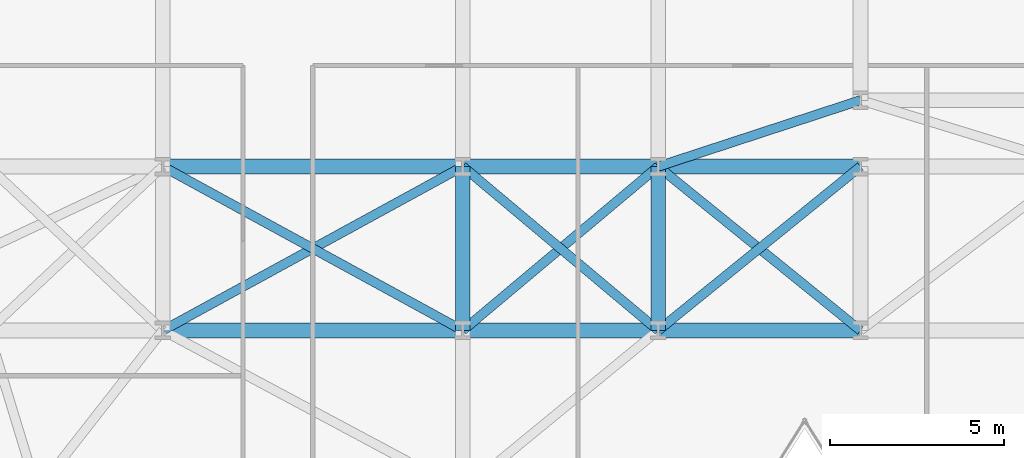
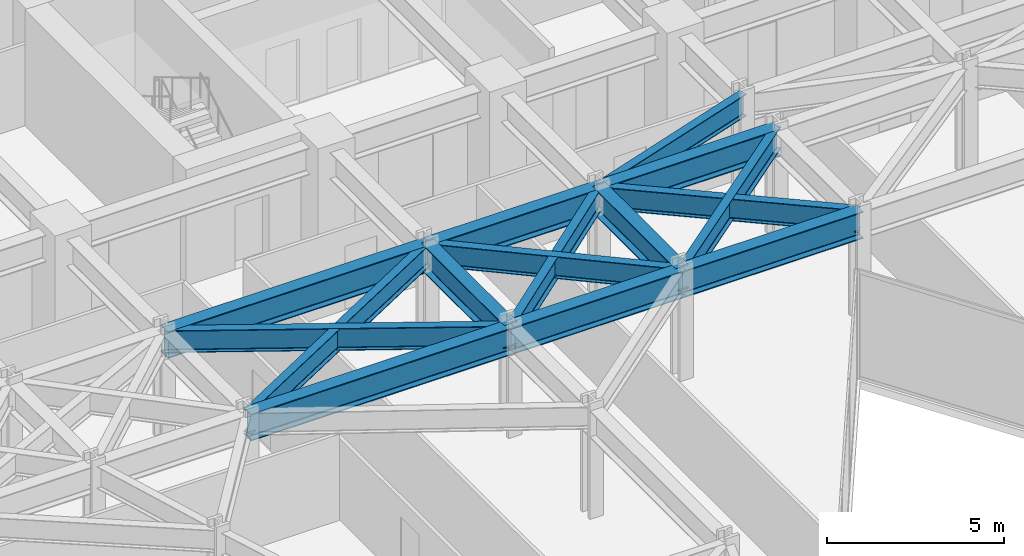
# One storey, part 11 of 25: 15 beams.
"""IFC4 building model written with IfcOpenShell, lengths in metres."""

from ifc_helpers import new_model, si_unit, direction, frame, origin, origin_2d, place, context, subcontext, project, spatial, i_section, extrude, material, material_profile, profile_set, type_object, element, save


model = new_model("IFC4")

# Units and contexts
model_context = context("Model", 3, precision=1e-05, world=origin(), true_north=direction((0.0, 1.0)))
body_context = subcontext(model_context, "Body", "Model", "MODEL_VIEW")
ifc_project = project(units=[si_unit("LENGTHUNIT", "METRE"), si_unit("AREAUNIT", "SQUARE_METRE"), si_unit("VOLUMEUNIT", "CUBIC_METRE"), si_unit("PLANEANGLEUNIT", "RADIAN"), si_unit("MASSUNIT", "GRAM", prefix="KILO")], contexts=[model_context])

# Site, building, storey
site_placement = place(None, origin())
site = spatial("IfcSite", under=ifc_project, at=site_placement, CompositionType="ELEMENT")
building_placement = place(site_placement, origin())
building = spatial("IfcBuilding", under=site, at=building_placement, Name="Kravanh Interchange Tower", CompositionType="ELEMENT")
storey_placement = place(building_placement, frame((0.0, 0.0, 57.5)))
storey = spatial("IfcBuildingStorey", under=building, at=storey_placement, Name="L13", CompositionType="ELEMENT", Elevation=57.5)

# Beams
ifc_material_1 = material(Name="Structural Steel S355", Category="steel")
ifc_material_profile_1 = material_profile(ifc_material_1, i_section(OverallWidth=0.41796875, OverallDepth=0.927001953125, WebThickness=0.019287109375, FlangeThickness=0.031982421875, FilletRadius=0.028076171875, at=origin_2d()), Name="W36X231")
ifc_profile_set_1 = profile_set([ifc_material_profile_1], Name="Structural Steel S355")
beam_type_1 = type_object("IfcBeamType", Name="Floor Beam W36X231 Structural Steel S355", PredefinedType="BEAM", material=ifc_profile_set_1)
beam_1_placement = place(storey_placement, frame((18.60009765625, 26.800048828125, 3.276611328125), z_axis=(1.0, 0.0, 0.0), x_axis=(0.0, 1.0, 0.0)))
element("IfcBeam", 1, at=beam_1_placement, inside=storey, type_object=beam_type_1, Name="L13 Primary Floor Girder 76", PredefinedType="BEAM", context=body_context, shape_type="SweptSolid", body=[
    extrude(i_section(OverallWidth=0.41796875, OverallDepth=0.927001953125, WebThickness=0.019287109375, FlangeThickness=0.031982421875, FilletRadius=0.028076171875, at=origin_2d()), origin(), (0.0, 0.0, 1.0), 8.599853515625),
])
beam_2_placement = place(storey_placement, frame((27.199951171875, 26.800048828125, 3.276611328125), z_axis=(0.0, 1.0, 0.0), x_axis=(-1.0, 0.0, 0.0)))
element("IfcBeam", 2, at=beam_2_placement, inside=storey, type_object=beam_type_1, Name="L13 Primary Floor Girder 78", PredefinedType="BEAM", context=body_context, shape_type="SweptSolid", body=[
    extrude(i_section(OverallWidth=0.41796875, OverallDepth=0.927001953125, WebThickness=0.019287109375, FlangeThickness=0.031982421875, FilletRadius=0.028076171875, at=origin_2d()), origin(), (0.0, 0.0, 1.0), 4.699951171875),
])
beam_3_placement = place(storey_placement, frame((27.199951171875, 26.800048828125, 3.276611328125), z_axis=(1.0, 0.0, 0.0), x_axis=(0.0, 1.0, 0.0)))
element("IfcBeam", 3, at=beam_3_placement, inside=storey, type_object=beam_type_1, Name="L13 Primary Floor Girder 79", PredefinedType="BEAM", context=body_context, shape_type="SweptSolid", body=[
    extrude(i_section(OverallWidth=0.41796875, OverallDepth=0.927001953125, WebThickness=0.019287109375, FlangeThickness=0.031982421875, FilletRadius=0.028076171875, at=origin_2d()), origin(), (0.0, 0.0, 1.0), 5.60009765625),
])
beam_4_placement = place(storey_placement, frame((32.800048828125, 26.800048828125, 3.276611328125), z_axis=(0.0, 1.0, 0.0), x_axis=(-1.0, 0.0, 0.0)))
element("IfcBeam", 4, at=beam_4_placement, inside=storey, type_object=beam_type_1, Name="L13 Primary Floor Girder 82", PredefinedType="BEAM", context=body_context, shape_type="SweptSolid", body=[
    extrude(i_section(OverallWidth=0.41796875, OverallDepth=0.927001953125, WebThickness=0.019287109375, FlangeThickness=0.031982421875, FilletRadius=0.028076171875, at=origin_2d()), origin(), (0.0, 0.0, 1.0), 4.699951171875),
])
beam_5_placement = place(storey_placement, frame((32.800048828125, 26.800048828125, 3.276611328125), z_axis=(1.0, 0.0, 0.0), x_axis=(0.0, 1.0, 0.0)))
element("IfcBeam", 5, at=beam_5_placement, inside=storey, type_object=beam_type_1, Name="L13 Primary Floor Girder 83", PredefinedType="BEAM", context=body_context, shape_type="SweptSolid", body=[
    extrude(i_section(OverallWidth=0.41796875, OverallDepth=0.927001953125, WebThickness=0.019287109375, FlangeThickness=0.031982421875, FilletRadius=0.028076171875, at=origin_2d()), origin(), (0.0, 0.0, 1.0), 5.800048828125),
])
beam_6_placement = place(storey_placement, frame((18.60009765625, 31.5, 3.276611328125), z_axis=(1.0, 0.0, 0.0), x_axis=(0.0, 1.0, 0.0)))
element("IfcBeam", 6, at=beam_6_placement, inside=storey, type_object=beam_type_1, Name="L13 Primary Floor Girder 106", PredefinedType="BEAM", context=body_context, shape_type="SweptSolid", body=[
    extrude(i_section(OverallWidth=0.41796875, OverallDepth=0.927001953125, WebThickness=0.019287109375, FlangeThickness=0.031982421875, FilletRadius=0.028076171875, at=origin_2d()), origin(), (0.0, 0.0, 1.0), 8.599853515625),
])
beam_7_placement = place(storey_placement, frame((27.199951171875, 31.5, 3.276611328125), z_axis=(1.0, 0.0, 0.0), x_axis=(0.0, 1.0, 0.0)))
element("IfcBeam", 7, at=beam_7_placement, inside=storey, type_object=beam_type_1, Name="L13 Primary Floor Girder 107", PredefinedType="BEAM", context=body_context, shape_type="SweptSolid", body=[
    extrude(i_section(OverallWidth=0.41796875, OverallDepth=0.927001953125, WebThickness=0.019287109375, FlangeThickness=0.031982421875, FilletRadius=0.028076171875, at=origin_2d()), origin(), (0.0, 0.0, 1.0), 5.60009765625),
])
beam_8_placement = place(storey_placement, frame((32.800048828125, 31.5, 3.276611328125), z_axis=(1.0, 0.0, 0.0), x_axis=(0.0, 1.0, 0.0)))
element("IfcBeam", 8, at=beam_8_placement, inside=storey, type_object=beam_type_1, Name="L13 Primary Floor Girder 109", PredefinedType="BEAM", context=body_context, shape_type="SweptSolid", body=[
    extrude(i_section(OverallWidth=0.41796875, OverallDepth=0.927001953125, WebThickness=0.019287109375, FlangeThickness=0.031982421875, FilletRadius=0.028076171875, at=origin_2d()), origin(), (0.0, 0.0, 1.0), 5.800048828125),
])
ifc_material_2 = material(Name="Structural Steel S355", Category="steel")
ifc_material_profile_2 = material_profile(ifc_material_2, i_section(OverallWidth=0.26708984375, OverallDepth=0.761962890625, WebThickness=0.014404296875, FlangeThickness=0.021484375, FilletRadius=0.02490234375, at=origin_2d()), Name="W30X116")
ifc_profile_set_2 = profile_set([ifc_material_profile_2], Name="Structural Steel S355")
beam_type_2 = type_object("IfcBeamType", Name="Floor Spandrel W30X116 Structural Steel S355", PredefinedType="SPANDREL", material=ifc_profile_set_2)
beam_9_placement = place(storey_placement, frame((18.60009765625, 26.800048828125, 3.35888671875), z_axis=(0.877503996342, 0.479569323877, 0.0), x_axis=(-0.479569323877, 0.877503996342, 0.0)))
element("IfcBeam", 9, at=beam_9_placement, inside=storey, type_object=beam_type_2, Name="L13 Perimeter Spandrel 77", PredefinedType="SPANDREL", context=body_context, shape_type="SweptSolid", body=[
    extrude(i_section(OverallWidth=0.26708984375, OverallDepth=0.761962890625, WebThickness=0.014404296875, FlangeThickness=0.021484375, FilletRadius=0.02490234375, at=origin_2d()), origin(), (0.0, 0.0, 1.0), 9.80029296875),
])
beam_10_placement = place(storey_placement, frame((27.199951171875, 26.800048828125, 3.35888671875), z_axis=(0.765983062929, 0.642860752657, 0.0), x_axis=(-0.642860752657, 0.765983062929, 0.0)))
element("IfcBeam", 10, at=beam_10_placement, inside=storey, type_object=beam_type_2, Name="L13 Perimeter Spandrel 80", PredefinedType="SPANDREL", context=body_context, shape_type="SweptSolid", body=[
    extrude(i_section(OverallWidth=0.26708984375, OverallDepth=0.761962890625, WebThickness=0.014404296875, FlangeThickness=0.021484375, FilletRadius=0.02490234375, at=origin_2d()), origin(), (0.0, 0.0, 1.0), 7.31103515625),
])
beam_11_placement = place(storey_placement, frame((27.199951171875, 26.800048828125, 3.35888671875), z_axis=(-0.877503996342, 0.479569323877, 0.0), x_axis=(-0.479569323877, -0.877503996342, 0.0)))
element("IfcBeam", 11, at=beam_11_placement, inside=storey, type_object=beam_type_2, Name="L13 Perimeter Spandrel 81", PredefinedType="SPANDREL", context=body_context, shape_type="SweptSolid", body=[
    extrude(i_section(OverallWidth=0.26708984375, OverallDepth=0.761962890625, WebThickness=0.014404296875, FlangeThickness=0.021484375, FilletRadius=0.02490234375, at=origin_2d()), origin(), (0.0, 0.0, 1.0), 9.80029296875),
])
beam_12_placement = place(storey_placement, frame((32.800048828125, 26.800048828125, 3.35888671875), z_axis=(-0.765983062929, 0.642860752657, 0.0), x_axis=(-0.642860752657, -0.765983062929, 0.0)))
element("IfcBeam", 12, at=beam_12_placement, inside=storey, type_object=beam_type_2, Name="L13 Perimeter Spandrel 84", PredefinedType="SPANDREL", context=body_context, shape_type="SweptSolid", body=[
    extrude(i_section(OverallWidth=0.26708984375, OverallDepth=0.761962890625, WebThickness=0.014404296875, FlangeThickness=0.021484375, FilletRadius=0.02490234375, at=origin_2d()), origin(), (0.0, 0.0, 1.0), 7.31103515625),
])
for number, where, z_axis, x_axis, name in (
    (13, (32.800048828125, 26.800048828125, 3.35888671875), (0.776938619557, 0.629576350764, 0.0), (-0.629576350764, 0.776938619557, 0.0), "L13 Perimeter Spandrel 85"),
    (14, (38.60009765625, 26.800048828125, 3.35888671875), (-0.776938619557, 0.629576350764, 0.0), (-0.629576350764, -0.776938619557, 0.0), "L13 Perimeter Spandrel 87"),
):
    element("IfcBeam", number, at=place(storey_placement, frame(where, z_axis=z_axis, x_axis=x_axis)), inside=storey, type_object=beam_type_2, Name=name, PredefinedType="SPANDREL", context=body_context, shape_type="SweptSolid", body=[
        extrude(i_section(OverallWidth=0.26708984375, OverallDepth=0.761962890625, WebThickness=0.014404296875, FlangeThickness=0.021484375, FilletRadius=0.02490234375, at=origin_2d()), origin(), (0.0, 0.0, 1.0), 7.46533203125),
    ])
beam_13_placement = place(storey_placement, frame((32.800048828125, 31.5, 3.35888671875), z_axis=(0.950314536578, 0.31129131303, 0.0), x_axis=(-0.31129131303, 0.950314536578, 0.0)))
element("IfcBeam", 15, at=beam_13_placement, inside=storey, type_object=beam_type_2, Name="L13 Perimeter Spandrel 110", PredefinedType="SPANDREL", context=body_context, shape_type="SweptSolid", body=[
    extrude(i_section(OverallWidth=0.26708984375, OverallDepth=0.761962890625, WebThickness=0.014404296875, FlangeThickness=0.021484375, FilletRadius=0.02490234375, at=origin_2d()), origin(), (0.0, 0.0, 1.0), 6.103271484375),
])

save(model, "model.ifc")
